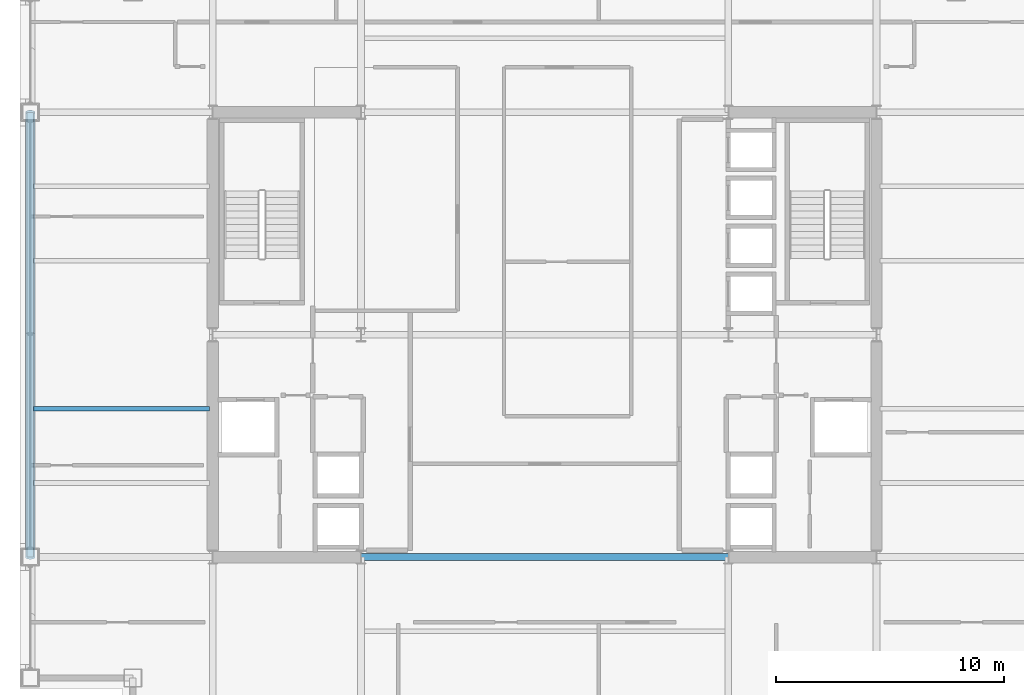
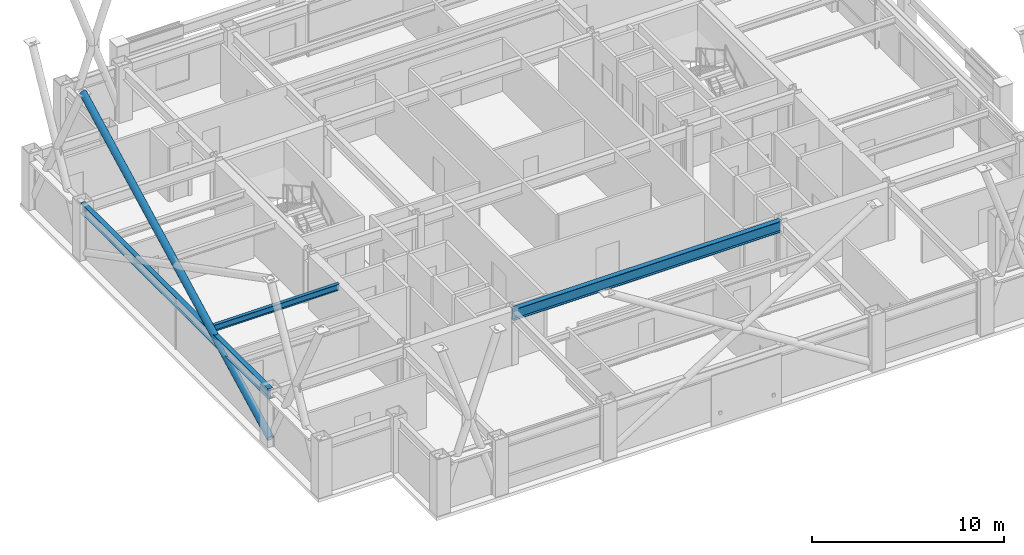
# One storey, part 8 of 33: 3 beams, 1 member.
"""IFC4 building model written with IfcOpenShell, lengths in metres."""

from ifc_helpers import new_model, si_unit, direction, frame, origin, origin_2d, place, context, subcontext, project, spatial, hollow_circle, i_section, extrude, material, material_profile, profile_set, type_object, element, save


model = new_model("IFC4")

# Units and contexts
model_context = context("Model", 3, precision=1e-05, world=origin(), true_north=direction((0.0, 1.0)))
body_context = subcontext(model_context, "Body", "Model", "MODEL_VIEW")
ifc_project = project(units=[si_unit("LENGTHUNIT", "METRE"), si_unit("AREAUNIT", "SQUARE_METRE"), si_unit("VOLUMEUNIT", "CUBIC_METRE"), si_unit("PLANEANGLEUNIT", "RADIAN"), si_unit("MASSUNIT", "GRAM", prefix="KILO")], contexts=[model_context])

# Site, building, storey
site_placement = place(None, origin())
site = spatial("IfcSite", under=ifc_project, at=site_placement, CompositionType="ELEMENT")
building_placement = place(site_placement, origin())
building = spatial("IfcBuilding", under=site, at=building_placement, Name="Brelmoor Portico Tower", CompositionType="ELEMENT")
storey_placement = place(building_placement, frame((0.0, 0.0, 120.60009765625)))
storey = spatial("IfcBuildingStorey", under=building, at=storey_placement, Name="L31", CompositionType="ELEMENT", Elevation=120.60009765625)

# Beams
ifc_material = material(Name="Steel Q355B", Category="steel")
ifc_material_profile_1 = material_profile(ifc_material, i_section(OverallWidth=0.199951171875, OverallDepth=0.39990234375, WebThickness=0.008056640625, FlangeThickness=0.012939453125, at=origin_2d()), Name="HN 400x200x8x13")
ifc_profile_set_1 = profile_set([ifc_material_profile_1], Name="Steel Q355B")
beam_type_1 = type_object("IfcBeamType", Name="BM-JS-400", PredefinedType="JOIST", material=ifc_profile_set_1)
beam_1_placement = place(storey_placement, frame((-22.409912109375, -3.25, 3.199951171875), z_axis=(1.0, 0.0, 0.0), x_axis=(0.0, 1.0, 0.0)))
element("IfcBeam", 1, at=beam_1_placement, inside=storey, type_object=beam_type_1, Name="L31 Secondary Wing Joist JS-W06", PredefinedType="JOIST", context=body_context, shape_type="SweptSolid", body=[
    extrude(i_section(OverallWidth=0.199951171875, OverallDepth=0.39990234375, WebThickness=0.008056640625, FlangeThickness=0.012939453125, at=origin_2d()), origin(), (0.0, 0.0, 1.0), 7.7099609375),
])
ifc_material_profile_2 = material_profile(ifc_material, i_section(OverallWidth=0.300048828125, OverallDepth=0.699951171875, WebThickness=0.012939453125, FlangeThickness=0.02392578125, at=origin_2d()), Name="HN 700x300x13x24")
ifc_profile_set_2 = profile_set([ifc_material_profile_2], Name="Steel Q355B")
beam_type_2 = type_object("IfcBeamType", Name="BM-PG-700", PredefinedType="BEAM", material=ifc_profile_set_2)
beam_2_placement = place(storey_placement, frame((-8.050048828125, -9.75, 3.0498046875), z_axis=(1.0, 0.0, 0.0), x_axis=(0.0, 1.0, 0.0)))
element("IfcBeam", 2, at=beam_2_placement, inside=storey, type_object=beam_type_2, Name="L31 Primary Floor Girder PG-16", PredefinedType="BEAM", context=body_context, shape_type="SweptSolid", body=[
    extrude(i_section(OverallWidth=0.300048828125, OverallDepth=0.699951171875, WebThickness=0.012939453125, FlangeThickness=0.02392578125, at=origin_2d()), origin(), (0.0, 0.0, 1.0), 16.10009765625),
])
ifc_material_profile_3 = material_profile(ifc_material, i_section(OverallWidth=0.280029296875, OverallDepth=0.64990234375, WebThickness=0.012939453125, FlangeThickness=0.02197265625, at=origin_2d()), Name="HN 650x280x13x22")
ifc_profile_set_3 = profile_set([ifc_material_profile_3], Name="Steel Q355B")
beam_type_3 = type_object("IfcBeamType", Name="BM-SP-650", PredefinedType="SPANDREL", material=ifc_profile_set_3)
beam_3_placement = place(storey_placement, frame((-22.550048828125, -9.75, 3.074951171875), z_axis=(0.0, 1.0, 0.0), x_axis=(-1.0, 0.0, 0.0)))
element("IfcBeam", 3, at=beam_3_placement, inside=storey, type_object=beam_type_3, Name="L31 Perimeter Spandrel Beam SP-16", PredefinedType="SPANDREL", context=body_context, shape_type="SweptSolid", body=[
    extrude(i_section(OverallWidth=0.280029296875, OverallDepth=0.64990234375, WebThickness=0.012939453125, FlangeThickness=0.02197265625, at=origin_2d()), origin(), (0.0, 0.0, 1.0), 19.5),
])

# Member
ifc_material_profile_4 = material_profile(ifc_material, hollow_circle(Radius=0.212890625, WallThickness=0.02001953125, at=origin_2d()), Name="CHS 426x20")
ifc_profile_set_4 = profile_set([ifc_material_profile_4], Name="Steel Q355B")
member_type = type_object("IfcMemberType", Name="MB-BELT-DIAG1", PredefinedType="BRACE", material=ifc_profile_set_4)
member_placement = place(storey_placement, frame((-22.550048828125, -9.75, 0.25), z_axis=(0.0, 0.8879639262, 0.459913106758), x_axis=(-1.0, 0.0, 0.0)))
element("IfcMember", 4, at=member_placement, inside=storey, type_object=member_type, Name="L31 Continuous Mega-X Brace 070A", PredefinedType="BRACE", context=body_context, shape_type="SweptSolid", body=[
    extrude(hollow_circle(Radius=0.212890625, WallThickness=0.02001953125, at=origin_2d()), origin(), (0.0, 0.0, 1.0), 21.96044921875),
])

save(model, "model.ifc")
